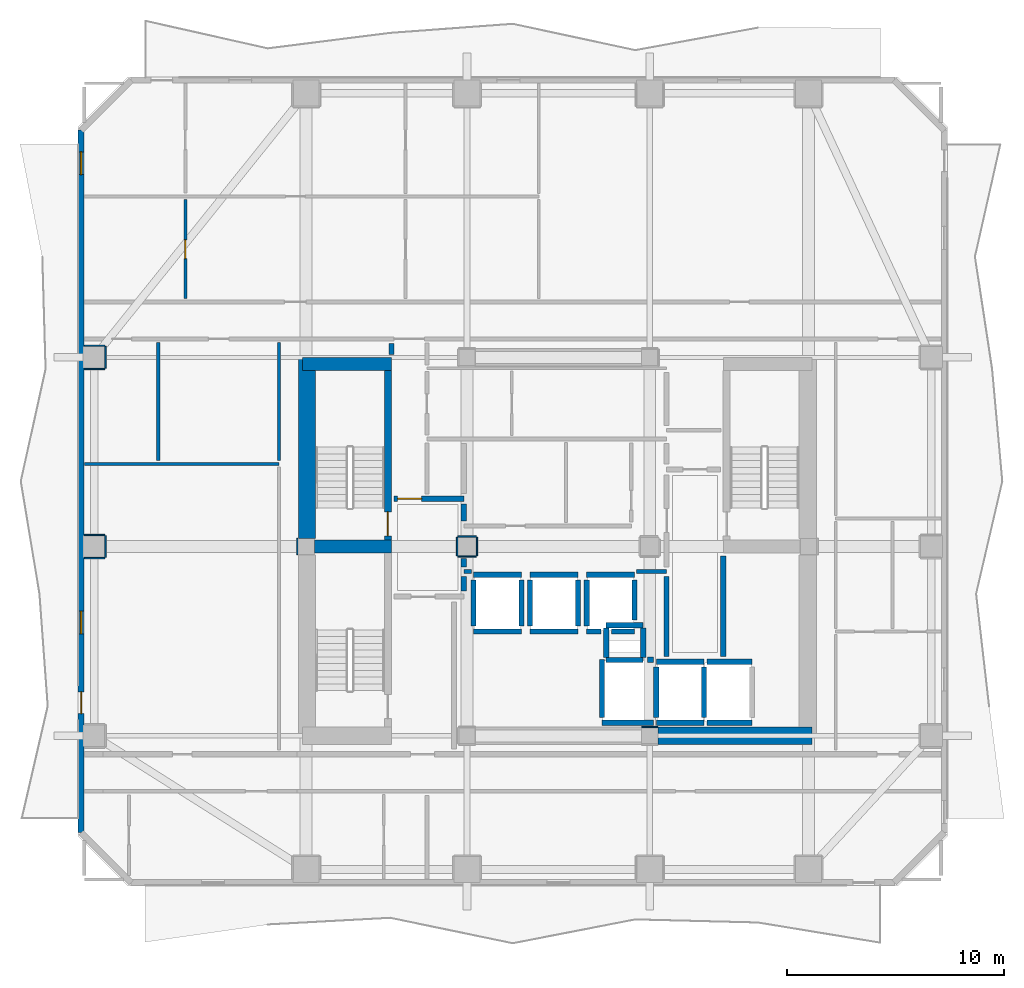
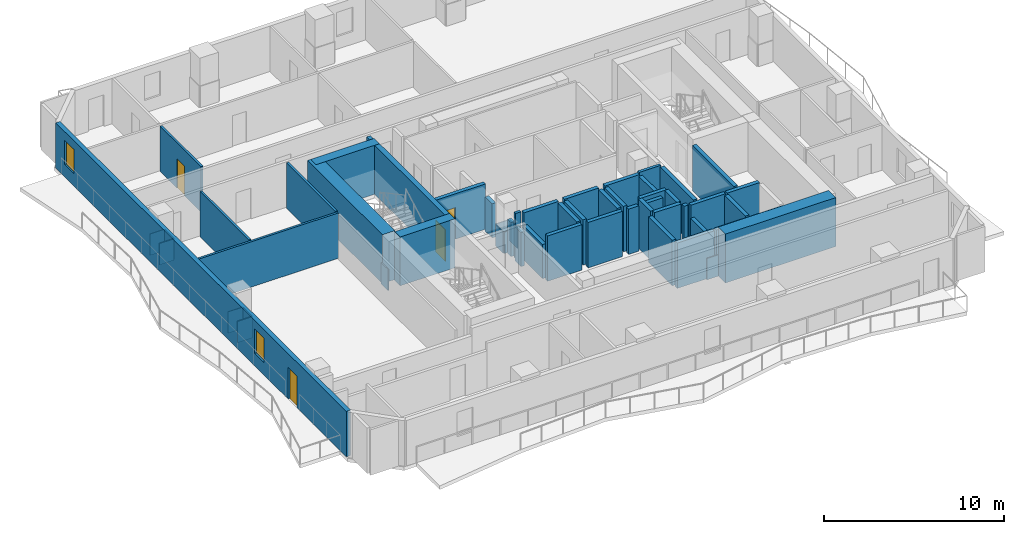
# One storey, part 3 of 10: 57 walls, 4 doors, 2 windows, 6 openings.
"""IFC4 building model written with IfcOpenShell, lengths in metres."""

import ifcopenshell
import ifcopenshell.guid

model = None  # the IFC model being written
_history = None  # IfcOwnerHistory: only IFC2X3 demands one
_inside = {}  # id of a spatial element -> (the spatial element, [elements in it])
_under = {}  # id of a project, library or spatial element -> (it, [spatial elements below it])
_declared = {}  # id of a project -> (the project, [libraries it declares])
_typed = {}  # id of a type object -> (the type object, [elements of that type])
_made_of = {}  # id of a material, layer set ... -> (it, [elements and type objects made of it])


def new_model(schema):
    """Start an empty IFC model of exactly this schema.

    Asked for "IFC4X3", IfcOpenShell would pick the latest addendum, in which some entities
    have other attributes; the version numbers below select the first issue.
    IFC2X3 requires an IfcOwnerHistory on every rooted entity: one is made here for all.
    """
    global model, _history
    if schema == "IFC4X3":
        model = ifcopenshell.file(schema_version=(4, 3, 0, 0))
    else:
        model = ifcopenshell.file(schema=schema)
    _inside.clear()
    _under.clear()
    _declared.clear()
    _typed.clear()
    _made_of.clear()
    _history = None
    if model.schema == "IFC2X3":
        org = make("IfcOrganization", Name="unknown")
        user = make(
            "IfcPersonAndOrganization",
            ThePerson=make("IfcPerson", FamilyName="unknown"),
            TheOrganization=org,
        )
        app = make(
            "IfcApplication",
            ApplicationDeveloper=org,
            Version="unknown",
            ApplicationFullName="unknown",
            ApplicationIdentifier="unknown",
        )
        _history = make(
            "IfcOwnerHistory",
            OwningUser=user,
            OwningApplication=app,
            ChangeAction="ADDED",
            CreationDate=0,
        )
    return model


def make(cls, **values):
    """One entity of the class cls with the attributes given. An attribute that is None is left unset."""
    return model.create_entity(
        cls, **{name: value for name, value in values.items() if value is not None}
    )


def rooted(cls, **values):
    """An entity with a GlobalId (a new one), such as an element, a storey or a relation."""
    return make(cls, GlobalId=ifcopenshell.guid.new(), OwnerHistory=_history, **values)


def si_unit(unit_type, name, prefix=None):
    """IfcSIUnit, for example si_unit("LENGTHUNIT", "METRE", prefix="MILLI")."""
    return make("IfcSIUnit", UnitType=unit_type, Prefix=prefix, Name=name)


def assignment(units):
    """IfcUnitAssignment: the units of a project."""
    return None if units is None else make("IfcUnitAssignment", Units=units)


def point(xyz):
    """IfcCartesianPoint."""
    return None if xyz is None else make("IfcCartesianPoint", Coordinates=xyz)


def direction(xyz):
    """IfcDirection."""
    return None if xyz is None else make("IfcDirection", DirectionRatios=xyz)


def frame(location, z_axis=None, x_axis=None):
    """IfcAxis2Placement3D, a coordinate frame: its origin and axes. An axis left out is left unset."""
    return make(
        "IfcAxis2Placement3D",
        Location=point(location),
        Axis=direction(z_axis),
        RefDirection=direction(x_axis),
    )


def frame_2d(location, x_axis=None):
    """IfcAxis2Placement2D, a coordinate frame in the plane: its origin and x axis."""
    return make(
        "IfcAxis2Placement2D", Location=point(location), RefDirection=direction(x_axis)
    )


def origin():
    """The frame at (0, 0, 0) with its axes left unset."""
    return frame((0.0, 0.0, 0.0))


def place(relative_to, where):
    """IfcLocalPlacement: puts the frame where relative to a parent placement (None: the world)."""
    return make(
        "IfcLocalPlacement", PlacementRelTo=relative_to, RelativePlacement=where
    )


def context(
    kind, dimensions, precision=None, world=None, true_north=None, identifier=None
):
    """IfcGeometricRepresentationContext, for example the 3D "Model" context."""
    return make(
        "IfcGeometricRepresentationContext",
        ContextIdentifier=identifier,
        ContextType=kind,
        CoordinateSpaceDimension=dimensions,
        Precision=precision,
        WorldCoordinateSystem=world,
        TrueNorth=true_north,
    )


def subcontext(parent, identifier, kind, view, scale=None):
    """IfcGeometricRepresentationSubContext, for example "Body" below "Model"."""
    return make(
        "IfcGeometricRepresentationSubContext",
        ContextIdentifier=identifier,
        ContextType=kind,
        ParentContext=parent,
        TargetScale=scale,
        TargetView=view,
    )


def project(units=None, contexts=None):
    """IfcProject with its units and contexts."""
    return rooted(
        "IfcProject",
        Name="project",
        RepresentationContexts=contexts,
        UnitsInContext=assignment(units),
    )


def spatial(cls, under=None, at=None, **own):
    """A site, building, storey or space (cls), placed at a placement, below another one or the project."""
    s = rooted(cls, ObjectPlacement=at, **own)
    if under is not None:
        _under.setdefault(under.id(), (under, []))[1].append(s)
    return s


def profile(cls, at=None, kind="AREA", **sizes):
    """A parametric profile (cls). Its sizes go by their IFC names, for example OverallWidth=200.0."""
    return make(cls, ProfileType=kind, Position=at, **sizes)


def rectangle(**sizes):
    """IfcRectangleProfileDef."""
    return profile("IfcRectangleProfileDef", **sizes)


def extrude(swept, where, along, depth):
    """IfcExtrudedAreaSolid: the profile swept, set in the frame where, extruded along a direction by depth."""
    return make(
        "IfcExtrudedAreaSolid",
        SweptArea=swept,
        Position=where,
        ExtrudedDirection=direction(along),
        Depth=depth,
    )


def shape(context_of_items, identifier, shape_type, items):
    """IfcShapeRepresentation: the items that make up one representation, for example the "Body"."""
    return make(
        "IfcShapeRepresentation",
        ContextOfItems=context_of_items,
        RepresentationIdentifier=identifier,
        RepresentationType=shape_type,
        Items=items,
    )


def material(Name=None, Category=None):
    """IfcMaterial."""
    return make("IfcMaterial", Name=Name, Category=Category)


def layer(
    of_material, thickness, ventilated=None, Name=None, Category=None, Priority=None
):
    """IfcMaterialLayer: one layer of a wall or slab, of a material (None: an air gap)."""
    return make(
        "IfcMaterialLayer",
        Material=of_material,
        LayerThickness=thickness,
        IsVentilated=ventilated,
        Name=Name,
        Category=Category,
        Priority=Priority,
    )


def layer_set(layers, Name=None):
    """IfcMaterialLayerSet."""
    return make("IfcMaterialLayerSet", MaterialLayers=layers, LayerSetName=Name)


def made_of(thing, what):
    """Note that an element or type object is made of a material, layer set ...; save() writes the relation."""
    if what is not None:
        _made_of.setdefault(what.id(), (what, []))[1].append(thing)
    return thing


def type_object(cls, material=None, **own):
    """A type object (cls), such as IfcWallType, which elements share."""
    return made_of(rooted(cls, **own), material)


def element(
    cls,
    number,
    at=None,
    inside=None,
    cuts=None,
    type_object=None,
    material=None,
    context=None,
    identifier="Body",
    shape_type=None,
    held_by="IfcProductDefinitionShape",
    body=None,
    shapes=None,
    **own,
):
    """One element of the class cls, such as IfcWall. Its Tag is "e" and its number.

    at: its placement. inside: the storey or other place that contains it. cuts: it is an
    opening in that element (IfcRelVoidsElement). A single representation is given by context,
    identifier, shape_type and body (its items); several are given by shapes. held_by: the class
    of the entity that holds the representations. save() writes the other relations.
    """
    e = rooted(cls, Tag="e%d" % number, ObjectPlacement=at, **own)
    if body is not None:
        shapes = [shape(context, identifier, shape_type, body)]
    if shapes is not None:
        e.Representation = make(held_by, Representations=shapes)
    if inside is not None:
        _inside.setdefault(inside.id(), (inside, []))[1].append(e)
    if cuts is not None:
        rooted(
            "IfcRelVoidsElement", RelatingBuildingElement=cuts, RelatedOpeningElement=e
        )
    if type_object is not None:
        _typed.setdefault(type_object.id(), (type_object, []))[1].append(e)
    return made_of(e, material)


def fill(opening, filler):
    """IfcRelFillsElement: the door or window that sits in an opening."""
    return rooted(
        "IfcRelFillsElement",
        RelatingOpeningElement=opening,
        RelatedBuildingElement=filler,
    )


def aggregate(whole, parts):
    """IfcRelAggregates: a whole, such as a stair, and the parts it consists of."""
    return rooted("IfcRelAggregates", RelatingObject=whole, RelatedObjects=parts)


def save(model, path):
    """Write the relations noted so far, then the file.

    IfcRelAggregates (storeys below a building ...), IfcRelContainedInSpatialStructure (elements
    in a storey), IfcRelDefinesByType, IfcRelAssociatesMaterial and IfcRelDeclares: one each for
    every whole, place, type object, material and project.
    """
    for whole, parts in _under.values():
        aggregate(whole, parts)
    for where, things in _inside.values():
        rooted(
            "IfcRelContainedInSpatialStructure",
            RelatedElements=things,
            RelatingStructure=where,
        )
    for kind, things in _typed.values():
        rooted("IfcRelDefinesByType", RelatedObjects=things, RelatingType=kind)
    for what, things in _made_of.values():
        rooted("IfcRelAssociatesMaterial", RelatedObjects=things, RelatingMaterial=what)
    for by, libraries in _declared.values():
        rooted("IfcRelDeclares", RelatingContext=by, RelatedDefinitions=libraries)
    model.write(path)


model = new_model("IFC4")

# Units and contexts
model_context = context("Model", 3, precision=1e-05, world=origin(), true_north=direction((0.0, 1.0)))
body_context = subcontext(model_context, "Body", "Model", "MODEL_VIEW")
ifc_project = project(units=[si_unit("LENGTHUNIT", "METRE"), si_unit("AREAUNIT", "SQUARE_METRE"), si_unit("VOLUMEUNIT", "CUBIC_METRE"), si_unit("PLANEANGLEUNIT", "RADIAN"), si_unit("MASSUNIT", "GRAM", prefix="KILO")], contexts=[model_context])

# Site, building, storey
site_placement = place(None, origin())
site = spatial("IfcSite", under=ifc_project, at=site_placement, CompositionType="ELEMENT")
building_placement = place(site_placement, origin())
building = spatial("IfcBuilding", under=site, at=building_placement, Name="Solanera Arch Residences", CompositionType="ELEMENT")
storey_placement = place(building_placement, frame((0.0, 0.0, 183.52001953125)))
storey = spatial("IfcBuildingStorey", under=building, at=storey_placement, Name="L53", CompositionType="ELEMENT", Elevation=183.52001953125)

# Walls
ifc_material_1 = material(Name="Fire-Rated Gypsum Stud Partition", Category="gypsum")
ifc_layer_1 = layer(ifc_material_1, 0.06005859375)
ifc_layer_set_1 = layer_set([ifc_layer_1], Name="Fire-Rated Gypsum Stud Partition")
wall_type_1 = type_object("IfcWallType", Name="Column Acoustic Furring Wall 60", PredefinedType="PARTITIONING", material=ifc_layer_set_1)
wall_1_placement = place(storey_placement, frame((28.8330078125, 22.406982421875, 0.0), z_axis=(0.0, 0.0, 1.0), x_axis=(1.0, 0.0, 0.0)))
element("IfcWall", 1, at=wall_1_placement, inside=storey, type_object=wall_type_1, Name="L53 Column Furring 2N", PredefinedType="PARTITIONING", context=body_context, shape_type="SweptSolid", body=[
    extrude(rectangle(XDim=0.73388671875, YDim=0.06005859375, at=frame_2d((0.366943359375, 0.0))), origin(), (0.0, 0.0, 1.0), 1.449951171875),
])
wall_2_placement = place(storey_placement, frame((12.992919921875, 30.324951171875, 0.0), z_axis=(0.0, 0.0, 1.0), x_axis=(0.0, 1.0, 0.0)))
element("IfcWall", 2, at=wall_2_placement, inside=storey, type_object=wall_type_1, Name="L53 Column Furring 5W", PredefinedType="PARTITIONING", context=body_context, shape_type="SweptSolid", body=[
    extrude(rectangle(XDim=0.75, YDim=0.06005859375, at=frame_2d((0.375, 0.0))), origin(), (0.0, 0.0, 1.0), 1.449951171875),
])
for number, where, z_axis, x_axis, name in (
    (3, (20.375, 30.242919921875, 0.0), (0.0, 0.0, 1.0), (1.0, 0.0, 0.0), "L53 Column Furring 7S"),
    (4, (20.375, 31.156982421875, 0.0), (0.0, 0.0, 1.0), (1.0, 0.0, 0.0), "L53 Column Furring 7N"),
    (5, (20.343017578125, 30.27490234375, 0.0), (0.0, 0.0, 1.0), (0.0, 1.0, 0.0), "L53 Column Furring 7W"),
    (6, (21.257080078125, 30.27490234375, 0.0), (0.0, 0.0, 1.0), (0.0, 1.0, 0.0), "L53 Column Furring 7E"),
):
    element("IfcWall", number, at=place(storey_placement, frame(where, z_axis=z_axis, x_axis=x_axis)), inside=storey, type_object=wall_type_1, Name=name, PredefinedType="PARTITIONING", context=body_context, shape_type="SweptSolid", body=[
        extrude(rectangle(XDim=0.85009765625, YDim=0.06005859375, at=frame_2d((0.425048828125, 0.0))), origin(), (0.0, 0.0, 1.0), 1.449951171875),
    ])
for number, where, z_axis, x_axis, name in (
    (7, (3.2099609375, 30.16796875, 0.0), (0.0, 0.0, 1.0), (1.0, 0.0, 0.0), "L53 Column Furring 19S"),
    (8, (3.2099609375, 31.23193359375, 0.0), (0.0, 0.0, 1.0), (1.0, 0.0, 0.0), "L53 Column Furring 19N"),
):
    element("IfcWall", number, at=place(storey_placement, frame(where, z_axis=z_axis, x_axis=x_axis)), inside=storey, type_object=wall_type_1, Name=name, PredefinedType="PARTITIONING", context=body_context, shape_type="SweptSolid", body=[
        extrude(rectangle(XDim=0.93994140625, YDim=0.06005859375, at=frame_2d((0.469970703125, 0.0))), origin(), (0.0, 0.0, 1.0), 1.449951171875),
    ])
wall_3_placement = place(storey_placement, frame((4.181884765625, 30.199951171875, 0.0), z_axis=(0.0, 0.0, 1.0), x_axis=(0.0, 1.0, 0.0)))
element("IfcWall", 9, at=wall_3_placement, inside=storey, type_object=wall_type_1, Name="L53 Column Furring 19E", PredefinedType="PARTITIONING", context=body_context, shape_type="SweptSolid", body=[
    extrude(rectangle(XDim=1.0, YDim=0.06005859375, at=frame_2d((0.5, 0.0))), origin(), (0.0, 0.0, 1.0), 1.449951171875),
])
for number, where, z_axis, x_axis, name in (
    (10, (3.2099609375, 38.867919921875, 0.0), (0.0, 0.0, 1.0), (1.0, 0.0, 0.0), "L53 Column Furring 21S"),
    (11, (3.2099609375, 39.931884765625, 0.0), (0.0, 0.0, 1.0), (1.0, 0.0, 0.0), "L53 Column Furring 21N"),
):
    element("IfcWall", number, at=place(storey_placement, frame(where, z_axis=z_axis, x_axis=x_axis)), inside=storey, type_object=wall_type_1, Name=name, PredefinedType="PARTITIONING", context=body_context, shape_type="SweptSolid", body=[
        extrude(rectangle(XDim=0.93994140625, YDim=0.06005859375, at=frame_2d((0.469970703125, 0.0))), origin(), (0.0, 0.0, 1.0), 1.449951171875),
    ])
wall_4_placement = place(storey_placement, frame((4.181884765625, 38.89990234375, 0.0), z_axis=(0.0, 0.0, 1.0), x_axis=(0.0, 1.0, 0.0)))
element("IfcWall", 12, at=wall_4_placement, inside=storey, type_object=wall_type_1, Name="L53 Column Furring 21E", PredefinedType="PARTITIONING", context=body_context, shape_type="SweptSolid", body=[
    extrude(rectangle(XDim=1.0, YDim=0.06005859375, at=frame_2d((0.5, 0.0))), origin(), (0.0, 0.0, 1.0), 1.449951171875),
])

# Wall, opening, door
ifc_material_2 = material(Name="Concrete C40/50 (f'c = 45 MPa)", Category="concrete")
ifc_layer_2 = layer(ifc_material_2, 0.320068359375)
ifc_layer_set_2 = layer_set([ifc_layer_2], Name="Concrete C40/50 (f'c = 45 MPa)")
wall_type_2 = type_object("IfcWallType", Name="Core Shear Wall CW-320", PredefinedType="SHEAR", material=ifc_layer_set_2)
wall_5_placement = place(storey_placement, frame((17.159912109375, 31.0, 0.0), z_axis=(0.0, 0.0, 1.0), x_axis=(0.0, 1.0, 0.0)))
wall_5 = element("IfcWall", 13, at=wall_5_placement, inside=storey, type_object=wall_type_2, Name="L53 Stair ST-T1 East Shear Wall", PredefinedType="SHEAR", context=body_context, shape_type="SweptSolid", body=[
    extrude(rectangle(XDim=7.800048828125, YDim=0.320068359375, at=frame_2d((3.89990234375, 0.0))), origin(), (0.0, 0.0, 1.0), 3.320068359375),
])
opening_1_placement = place(wall_5_placement, frame((0.18994140625, 0.0, 0.0)))
opening_1 = element("IfcOpeningElement", 14, at=opening_1_placement, cuts=wall_5, Name="Opening DF-01", PredefinedType="OPENING", context=body_context, shape_type="SweptSolid", body=[
    extrude(rectangle(XDim=1.10009765625, YDim=2.14990234375, at=frame_2d((0.550048828125, 1.074951171875))), frame((0.0, 0.169921875, 0.0), z_axis=(0.0, -1.0, 0.0), x_axis=(1.0, 0.0, 0.0)), (0.0, 0.0, 1.0), 0.3401),
])
ifc_material_3 = material(Name="Fire-Rated Architectural Hardwood", Category="wood")
door_type_1 = type_object("IfcDoorType", Name="Stair Exit Fire Door DF-01", OperationType="NOTDEFINED", PredefinedType="DOOR", material=ifc_material_3)
door_1_placement = place(opening_1_placement, origin())
door_1 = element("IfcDoor", 15, at=door_1_placement, inside=storey, type_object=door_type_1, Name="DR-L53-STAIR-ST-T1", OperationType="SINGLE_SWING_RIGHT", OverallHeight=2.14990234375, OverallWidth=1.10009765625, PredefinedType="DOOR", context=body_context, shape_type="SweptSolid", body=[
    extrude(rectangle(XDim=1.10009765625, YDim=2.14990234375, at=frame_2d((0.550048828125, 1.074951171875))), frame((0.0, 0.02490234375, 0.0), z_axis=(0.0, -1.0, 0.0), x_axis=(1.0, 0.0, 0.0)), (0.0, 0.0, 1.0), 0.050048828125),
])
fill(opening_1, door_1)

# Walls
ifc_material_4 = material(Name="Concrete C40/50 (f'c = 45 MPa)", Category="concrete")
ifc_layer_3 = layer(ifc_material_4, 0.60009765625)
ifc_layer_set_3 = layer_set([ifc_layer_3], Name="Concrete C40/50 (f'c = 45 MPa)")
wall_type_3 = type_object("IfcWallType", Name="Core Shear Wall CW-600", PredefinedType="SHEAR", material=ifc_layer_set_3)
wall_6_placement = place(storey_placement, frame((13.239990234375, 39.10009765625, 0.0), z_axis=(0.0, 0.0, 1.0), x_axis=(1.0, 0.0, 0.0)))
element("IfcWall", 16, at=wall_6_placement, inside=storey, type_object=wall_type_3, Name="L53 North-West Core Shear Wall", PredefinedType="SHEAR", context=body_context, shape_type="SweptSolid", body=[
    extrude(rectangle(XDim=4.080078125, YDim=0.60009765625, at=frame_2d((2.0400390625, 0.0))), origin(), (0.0, 0.0, 1.0), 3.320068359375),
])
wall_7_placement = place(storey_placement, frame((13.780029296875, 30.699951171875, 0.0), z_axis=(0.0, 0.0, 1.0), x_axis=(1.0, 0.0, 0.0)))
element("IfcWall", 17, at=wall_7_placement, inside=storey, type_object=wall_type_3, Name="L53 West Stair Divider Shear Wall", PredefinedType="SHEAR", context=body_context, shape_type="SweptSolid", body=[
    extrude(rectangle(XDim=3.5400390625, YDim=0.60009765625, at=frame_2d((1.77001953125, 0.0))), origin(), (0.0, 0.0, 1.0), 3.320068359375),
])
ifc_material_5 = material(Name="Concrete C40/50 (f'c = 45 MPa)", Category="concrete")
ifc_layer_4 = layer(ifc_material_5, 0.800048828125)
ifc_layer_set_4 = layer_set([ifc_layer_4], Name="Concrete C40/50 (f'c = 45 MPa)")
wall_type_4 = type_object("IfcWallType", Name="Core Shear Wall CW-800", PredefinedType="SHEAR", material=ifc_layer_set_4)
wall_8_placement = place(storey_placement, frame((13.43994140625, 31.080078125, 0.0), z_axis=(0.0, 0.0, 1.0), x_axis=(0.0, 1.0, 0.0)))
element("IfcWall", 18, at=wall_8_placement, inside=storey, type_object=wall_type_4, Name="L53 West Core North Shear Wall", PredefinedType="SHEAR", context=body_context, shape_type="SweptSolid", body=[
    extrude(rectangle(XDim=8.31982421875, YDim=0.800048828125, at=frame_2d((4.159912109375, 0.0))), origin(), (0.0, 0.0, 1.0), 3.320068359375),
])
wall_9_placement = place(storey_placement, frame((29.580078125, 22.0, 0.0), z_axis=(0.0, 0.0, 1.0), x_axis=(1.0, 0.0, 0.0)))
element("IfcWall", 19, at=wall_9_placement, inside=storey, type_object=wall_type_4, Name="L53 South-East Core Shear Wall", PredefinedType="SHEAR", context=body_context, shape_type="SweptSolid", body=[
    extrude(rectangle(XDim=7.079833984375, YDim=0.800048828125, at=frame_2d((3.5400390625, 0.0))), origin(), (0.0, 0.0, 1.0), 3.320068359375),
])
ifc_material_6 = material(Name="Autoclaved Aerated Concrete Blockwork", Category="masonry")
ifc_layer_5 = layer(ifc_material_6, 0.179931640625)
ifc_layer_set_5 = layer_set([ifc_layer_5], Name="Autoclaved Aerated Concrete Blockwork")
wall_type_5 = type_object("IfcWallType", Name="Corridor Fire Partition 180", PredefinedType="PARTITIONING", material=ifc_layer_set_5)
wall_10_placement = place(storey_placement, frame((20.64990234375, 29.550048828125, 0.0), z_axis=(0.0, 0.0, 1.0), x_axis=(1.0, 0.0, 0.0)))
element("IfcWall", 20, at=wall_10_placement, inside=storey, type_object=wall_type_5, Name="L53 Interior Partition H7 1", PredefinedType="PARTITIONING", context=body_context, shape_type="SweptSolid", body=[
    extrude(rectangle(XDim=0.357177734375, YDim=0.179931640625, at=frame_2d((0.1787109375, 0.0))), origin(), (0.0, 0.0, 1.0), 3.080078125),
])
wall_11_placement = place(storey_placement, frame((28.593017578125, 29.550048828125, 0.0), z_axis=(0.0, 0.0, 1.0), x_axis=(1.0, 0.0, 0.0)))
element("IfcWall", 21, at=wall_11_placement, inside=storey, type_object=wall_type_5, Name="L53 Interior Partition H7 2", PredefinedType="PARTITIONING", context=body_context, shape_type="SweptSolid", body=[
    extrude(rectangle(XDim=1.382080078125, YDim=0.179931640625, at=frame_2d((0.69091796875, 0.0))), origin(), (0.0, 0.0, 1.0), 3.080078125),
])

# Wall, openings, door, windows
ifc_material_7 = material(Name="Precast Concrete C35/45", Category="concrete")
ifc_layer_6 = layer(ifc_material_7, 0.280029296875)
ifc_layer_set_6 = layer_set([ifc_layer_6], Name="Precast Concrete C35/45")
wall_type_6 = type_object("IfcWallType", Name="Exterior Wall Precast Masonry-Frame 280", PredefinedType="STANDARD", material=ifc_layer_set_6)
wall_12_placement = place(storey_placement, frame((3.054931640625, 17.554931640625, 0.0), z_axis=(0.0, 0.0, 1.0), x_axis=(0.0, 1.0, 0.0)))
wall_12 = element("IfcWall", 22, at=wall_12_placement, inside=storey, type_object=wall_type_6, Name="L53 Tower Exterior Precast Masonry-Frame Wall W", PredefinedType="STANDARD", context=body_context, shape_type="SweptSolid", body=[
    extrude(rectangle(XDim=32.2900390625, YDim=0.280029296875, at=frame_2d((16.14501953125, 0.0))), origin(), (0.0, 0.0, 1.0), 3.080078125),
])
opening_2_placement = place(wall_12_placement, frame((5.467041015625, 0.0, 0.0)))
opening_2 = element("IfcOpeningElement", 23, at=opening_2_placement, cuts=wall_12, Name="Opening DB-01", PredefinedType="OPENING", context=body_context, shape_type="SweptSolid", body=[
    extrude(rectangle(XDim=1.0, YDim=2.14990234375, at=frame_2d((0.5, 1.074951171875))), frame((0.0, 0.14990234375, 0.0), z_axis=(0.0, -1.0, 0.0), x_axis=(1.0, 0.0, 0.0)), (0.0, 0.0, 1.0), 0.3),
])
opening_3_placement = place(wall_12_placement, frame((30.2470703125, 0.0, 0.85009765625)))
opening_3 = element("IfcOpeningElement", 24, at=opening_3_placement, cuts=wall_12, Name="Opening W-07", PredefinedType="OPENING", context=body_context, shape_type="SweptSolid", body=[
    extrude(rectangle(XDim=1.050048828125, YDim=1.64990234375, at=frame_2d((0.52490234375, 0.824951171875))), frame((0.0, 0.14990234375, 0.0), z_axis=(0.0, -1.0, 0.0), x_axis=(1.0, 0.0, 0.0)), (0.0, 0.0, 1.0), 0.3),
])
opening_4_placement = place(wall_12_placement, frame((9.131103515625, 0.0, 0.85009765625)))
opening_4 = element("IfcOpeningElement", 25, at=opening_4_placement, cuts=wall_12, Name="Opening W-07", PredefinedType="OPENING", context=body_context, shape_type="SweptSolid", body=[
    extrude(rectangle(XDim=1.050048828125, YDim=1.64990234375, at=frame_2d((0.52490234375, 0.824951171875))), frame((0.0, 0.14990234375, 0.0), z_axis=(0.0, -1.0, 0.0), x_axis=(1.0, 0.0, 0.0)), (0.0, 0.0, 1.0), 0.3),
])
ifc_material_8 = material(Name="Anodised Aluminium Alloy 6063-T6", Category="aluminium")
door_type_2 = type_object("IfcDoorType", Name="Glazed Balcony Swing Door DB-01", OperationType="NOTDEFINED", PredefinedType="DOOR", material=ifc_material_8)
door_2_placement = place(opening_2_placement, origin())
door_2 = element("IfcDoor", 26, at=door_2_placement, inside=storey, type_object=door_type_2, Name="DR-L53-OUT-04", OperationType="SINGLE_SWING_RIGHT", OverallHeight=2.14990234375, OverallWidth=1.0, PredefinedType="DOOR", context=body_context, shape_type="SweptSolid", body=[
    extrude(rectangle(XDim=1.0, YDim=2.14990234375, at=frame_2d((0.5, 1.074951171875))), frame((0.0, 0.02490234375, 0.0), z_axis=(0.0, -1.0, 0.0), x_axis=(1.0, 0.0, 0.0)), (0.0, 0.0, 1.0), 0.050048828125),
])
fill(opening_2, door_2)
ifc_material_9 = material(Name="Double Glazed Low-E Laminated Glass", Category="glass")
window_type = type_object("IfcWindowType", Name="Punched Window W-07", PartitioningType="SINGLE_PANEL", PredefinedType="WINDOW", material=ifc_material_9)
window_1_placement = place(opening_3_placement, origin())
window_1 = element("IfcWindow", 27, at=window_1_placement, inside=storey, type_object=window_type, Name="L53 5302-BR1 Punched Window", OverallHeight=1.64990234375, OverallWidth=1.050048828125, PartitioningType="SINGLE_PANEL", PredefinedType="WINDOW", context=body_context, shape_type="SweptSolid", body=[
    extrude(rectangle(XDim=1.050048828125, YDim=1.64990234375, at=frame_2d((0.52490234375, 0.824951171875))), frame((0.0, 0.030029296875, 0.0), z_axis=(0.0, -1.0, 0.0), x_axis=(1.0, 0.0, 0.0)), (0.0, 0.0, 1.0), 0.06005859375),
])
fill(opening_3, window_1)
window_2_placement = place(opening_4_placement, origin())
window_2 = element("IfcWindow", 28, at=window_2_placement, inside=storey, type_object=window_type, Name="L53 AMN-FIT Punched Window", OverallHeight=1.64990234375, OverallWidth=1.050048828125, PartitioningType="SINGLE_PANEL", PredefinedType="WINDOW", context=body_context, shape_type="SweptSolid", body=[
    extrude(rectangle(XDim=1.050048828125, YDim=1.64990234375, at=frame_2d((0.52490234375, 0.824951171875))), frame((0.0, 0.030029296875, 0.0), z_axis=(0.0, -1.0, 0.0), x_axis=(1.0, 0.0, 0.0)), (0.0, 0.0, 1.0), 0.06005859375),
])
fill(opening_4, window_2)

# Walls
ifc_material_10 = material(Name="Concrete C40/50 (f'c = 45 MPa)", Category="concrete")
ifc_layer_7 = layer(ifc_material_10, 0.239990234375)
ifc_layer_set_7 = layer_set([ifc_layer_7], Name="Concrete C40/50 (f'c = 45 MPa)")
wall_type_7 = type_object("IfcWallType", Name="Ramp Bearing Shear Wall RW-240", PredefinedType="SHEAR", material=ifc_layer_set_7)
for number, where, z_axis, x_axis, name in (
    (29, (27.199951171875, 25.47998046875, 0.0), (0.0, 0.0, 1.0), (1.0, 0.0, 0.0), "L53 Core MEP Riser South Shaft Wall"),
    (30, (27.199951171875, 27.080078125, 0.0), (0.0, 0.0, 1.0), (1.0, 0.0, 0.0), "L53 Core MEP Riser North Shaft Wall"),
):
    element("IfcWall", number, at=place(storey_placement, frame(where, z_axis=z_axis, x_axis=x_axis)), inside=storey, type_object=wall_type_7, Name=name, PredefinedType="SHEAR", context=body_context, shape_type="SweptSolid", body=[
        extrude(rectangle(XDim=1.699951171875, YDim=0.239990234375, at=frame_2d((0.85009765625, 0.0))), origin(), (0.0, 0.0, 1.0), 3.320068359375),
    ])
for number, where, z_axis, x_axis, name in (
    (31, (27.199951171875, 25.60009765625, 0.0), (0.0, 0.0, 1.0), (0.0, 1.0, 0.0), "L53 Core MEP Riser West Shaft Wall"),
    (32, (28.89990234375, 25.60009765625, 0.0), (0.0, 0.0, 1.0), (0.0, 1.0, 0.0), "L53 Core MEP Riser East Shaft Wall"),
):
    element("IfcWall", number, at=place(storey_placement, frame(where, z_axis=z_axis, x_axis=x_axis)), inside=storey, type_object=wall_type_7, Name=name, PredefinedType="SHEAR", context=body_context, shape_type="SweptSolid", body=[
        extrude(rectangle(XDim=1.35986328125, YDim=0.239990234375, at=frame_2d((0.679931640625, 0.0))), origin(), (0.0, 0.0, 1.0), 3.320068359375),
    ])
ifc_material_11 = material(Name="Autoclaved Aerated Concrete Blockwork", Category="masonry")
ifc_layer_8 = layer(ifc_material_11, 0.239990234375)
ifc_layer_set_8 = layer_set([ifc_layer_8], Name="Autoclaved Aerated Concrete Blockwork")
wall_type_8 = type_object("IfcWallType", Name="Shaft Wall Fire-Rated 240", PredefinedType="PARTITIONING", material=ifc_layer_set_8)
for number, where, z_axis, x_axis, name in (
    (33, (21.10009765625, 26.800048828125, 0.0), (0.0, 0.0, 1.0), (1.0, 0.0, 0.0), "L53 Lift PL-H1 Hoistway Wall S"),
    (34, (21.10009765625, 29.39990234375, 0.0), (0.0, 0.0, 1.0), (1.0, 0.0, 0.0), "L53 Lift PL-H1 Hoistway Wall N"),
):
    element("IfcWall", number, at=place(storey_placement, frame(where, z_axis=z_axis, x_axis=x_axis)), inside=storey, type_object=wall_type_8, Name=name, PredefinedType="PARTITIONING", context=body_context, shape_type="SweptSolid", body=[
        extrude(rectangle(XDim=2.199951171875, YDim=0.239990234375, at=frame_2d((1.10009765625, 0.0))), origin(), (0.0, 0.0, 1.0), 3.080078125),
    ])
wall_13_placement = place(storey_placement, frame((21.10009765625, 27.048095703125, 0.0), z_axis=(0.0, 0.0, 1.0), x_axis=(0.0, 1.0, 0.0)))
element("IfcWall", 35, at=wall_13_placement, inside=storey, type_object=wall_type_8, Name="L53 Lift PL-H1 Hoistway Wall W", PredefinedType="PARTITIONING", context=body_context, shape_type="SweptSolid", body=[
    extrude(rectangle(XDim=2.10400390625, YDim=0.239990234375, at=frame_2d((1.052001953125, 0.0))), origin(), (0.0, 0.0, 1.0), 2.31494140625),
])
wall_14_placement = place(storey_placement, frame((23.300048828125, 27.048095703125, 0.0), z_axis=(0.0, 0.0, 1.0), x_axis=(0.0, 1.0, 0.0)))
element("IfcWall", 36, at=wall_14_placement, inside=storey, type_object=wall_type_8, Name="L53 Lift PL-H1 Hoistway Wall E", PredefinedType="PARTITIONING", context=body_context, shape_type="SweptSolid", body=[
    extrude(rectangle(XDim=2.10400390625, YDim=0.239990234375, at=frame_2d((1.052001953125, 0.0))), origin(), (0.0, 0.0, 1.0), 3.080078125),
])
for number, where, z_axis, x_axis, name in (
    (37, (23.699951171875, 26.800048828125, 0.0), (0.0, 0.0, 1.0), (1.0, 0.0, 0.0), "L53 Lift PL-H2 Hoistway Wall S"),
    (38, (23.699951171875, 29.39990234375, 0.0), (0.0, 0.0, 1.0), (1.0, 0.0, 0.0), "L53 Lift PL-H2 Hoistway Wall N"),
):
    element("IfcWall", number, at=place(storey_placement, frame(where, z_axis=z_axis, x_axis=x_axis)), inside=storey, type_object=wall_type_8, Name=name, PredefinedType="PARTITIONING", context=body_context, shape_type="SweptSolid", body=[
        extrude(rectangle(XDim=2.199951171875, YDim=0.239990234375, at=frame_2d((1.10009765625, 0.0))), origin(), (0.0, 0.0, 1.0), 3.080078125),
    ])
for number, where, z_axis, x_axis, name in (
    (39, (23.699951171875, 27.048095703125, 0.0), (0.0, 0.0, 1.0), (0.0, 1.0, 0.0), "L53 Lift PL-H2 Hoistway Wall W"),
    (40, (25.89990234375, 27.048095703125, 0.0), (0.0, 0.0, 1.0), (0.0, 1.0, 0.0), "L53 Lift PL-H2 Hoistway Wall E"),
):
    element("IfcWall", number, at=place(storey_placement, frame(where, z_axis=z_axis, x_axis=x_axis)), inside=storey, type_object=wall_type_8, Name=name, PredefinedType="PARTITIONING", context=body_context, shape_type="SweptSolid", body=[
        extrude(rectangle(XDim=2.10400390625, YDim=0.239990234375, at=frame_2d((1.052001953125, 0.0))), origin(), (0.0, 0.0, 1.0), 3.080078125),
    ])
wall_15_placement = place(storey_placement, frame((26.300048828125, 26.800048828125, 0.0), z_axis=(0.0, 0.0, 1.0), x_axis=(1.0, 0.0, 0.0)))
element("IfcWall", 41, at=wall_15_placement, inside=storey, type_object=wall_type_8, Name="L53 Lift PL-H3 Hoistway Wall S 1", PredefinedType="PARTITIONING", context=body_context, shape_type="SweptSolid", body=[
    extrude(rectangle(XDim=0.64990234375, YDim=0.239990234375, at=frame_2d((0.324951171875, 0.0))), origin(), (0.0, 0.0, 1.0), 3.080078125),
])
wall_16_placement = place(storey_placement, frame((27.449951171875, 26.800048828125, 0.0), z_axis=(0.0, 0.0, 1.0), x_axis=(1.0, 0.0, 0.0)))
element("IfcWall", 42, at=wall_16_placement, inside=storey, type_object=wall_type_8, Name="L53 Lift PL-H3 Hoistway Wall S 2", PredefinedType="PARTITIONING", context=body_context, shape_type="SweptSolid", body=[
    extrude(rectangle(XDim=1.050048828125, YDim=0.239990234375, at=frame_2d((0.52490234375, 0.0))), origin(), (0.0, 0.0, 1.0), 3.080078125),
])
wall_17_placement = place(storey_placement, frame((26.300048828125, 29.39990234375, 0.0), z_axis=(0.0, 0.0, 1.0), x_axis=(1.0, 0.0, 0.0)))
element("IfcWall", 43, at=wall_17_placement, inside=storey, type_object=wall_type_8, Name="L53 Lift PL-H3 Hoistway Wall N", PredefinedType="PARTITIONING", context=body_context, shape_type="SweptSolid", body=[
    extrude(rectangle(XDim=2.199951171875, YDim=0.239990234375, at=frame_2d((1.10009765625, 0.0))), origin(), (0.0, 0.0, 1.0), 3.080078125),
])
wall_18_placement = place(storey_placement, frame((26.300048828125, 27.048095703125, 0.0), z_axis=(0.0, 0.0, 1.0), x_axis=(0.0, 1.0, 0.0)))
element("IfcWall", 44, at=wall_18_placement, inside=storey, type_object=wall_type_8, Name="L53 Lift PL-H3 Hoistway Wall W", PredefinedType="PARTITIONING", context=body_context, shape_type="SweptSolid", body=[
    extrude(rectangle(XDim=2.10400390625, YDim=0.239990234375, at=frame_2d((1.052001953125, 0.0))), origin(), (0.0, 0.0, 1.0), 3.080078125),
])
wall_19_placement = place(storey_placement, frame((28.5, 27.330078125, 0.0), z_axis=(0.0, 0.0, 1.0), x_axis=(0.0, 1.0, 0.0)))
element("IfcWall", 45, at=wall_19_placement, inside=storey, type_object=wall_type_8, Name="L53 Lift PL-H3 Hoistway Wall E", PredefinedType="PARTITIONING", context=body_context, shape_type="SweptSolid", body=[
    extrude(rectangle(XDim=1.822021484375, YDim=0.239990234375, at=frame_2d((0.9111328125, 0.0))), origin(), (0.0, 0.0, 1.0), 3.080078125),
])
for number, where, z_axis, x_axis, name in (
    (46, (29.5, 22.60009765625, 0.0), (0.0, 0.0, 1.0), (1.0, 0.0, 0.0), "L53 Lift FFL-1 Hoistway Wall S"),
    (47, (29.5, 25.39990234375, 0.0), (0.0, 0.0, 1.0), (1.0, 0.0, 0.0), "L53 Lift FFL-1 Hoistway Wall N"),
):
    element("IfcWall", number, at=place(storey_placement, frame(where, z_axis=z_axis, x_axis=x_axis)), inside=storey, type_object=wall_type_8, Name=name, PredefinedType="PARTITIONING", context=body_context, shape_type="SweptSolid", body=[
        extrude(rectangle(XDim=2.199951171875, YDim=0.239990234375, at=frame_2d((1.10009765625, 0.0))), origin(), (0.0, 0.0, 1.0), 3.080078125),
    ])
wall_20_placement = place(storey_placement, frame((29.5, 22.847900390625, 0.0), z_axis=(0.0, 0.0, 1.0), x_axis=(0.0, 1.0, 0.0)))
element("IfcWall", 48, at=wall_20_placement, inside=storey, type_object=wall_type_8, Name="L53 Lift FFL-1 Hoistway Wall W", PredefinedType="PARTITIONING", context=body_context, shape_type="SweptSolid", body=[
    extrude(rectangle(XDim=2.30419921875, YDim=0.239990234375, at=frame_2d((1.152099609375, 0.0))), origin(), (0.0, 0.0, 1.0), 2.31494140625),
])
wall_21_placement = place(storey_placement, frame((31.699951171875, 22.847900390625, 0.0), z_axis=(0.0, 0.0, 1.0), x_axis=(0.0, 1.0, 0.0)))
element("IfcWall", 49, at=wall_21_placement, inside=storey, type_object=wall_type_8, Name="L53 Lift FFL-1 Hoistway Wall E", PredefinedType="PARTITIONING", context=body_context, shape_type="SweptSolid", body=[
    extrude(rectangle(XDim=2.30419921875, YDim=0.239990234375, at=frame_2d((1.152099609375, 0.0))), origin(), (0.0, 0.0, 1.0), 3.080078125),
])
for number, where, z_axis, x_axis, name in (
    (50, (31.827880859375, 22.60009765625, 0.0), (0.0, 0.0, 1.0), (1.0, 0.0, 0.0), "L53 Lift FFL-2 Hoistway Wall S"),
    (51, (31.827880859375, 25.39990234375, 0.0), (0.0, 0.0, 1.0), (1.0, 0.0, 0.0), "L53 Lift FFL-2 Hoistway Wall N"),
):
    element("IfcWall", number, at=place(storey_placement, frame(where, z_axis=z_axis, x_axis=x_axis)), inside=storey, type_object=wall_type_8, Name=name, PredefinedType="PARTITIONING", context=body_context, shape_type="SweptSolid", body=[
        extrude(rectangle(XDim=2.072021484375, YDim=0.239990234375, at=frame_2d((1.0361328125, 0.0))), origin(), (0.0, 0.0, 1.0), 3.080078125),
    ])
wall_22_placement = place(storey_placement, frame((27.0, 22.60009765625, 0.0), z_axis=(0.0, 0.0, 1.0), x_axis=(1.0, 0.0, 0.0)))
element("IfcWall", 52, at=wall_22_placement, inside=storey, type_object=wall_type_8, Name="L53 Lift SVL-1 Hoistway Wall S", PredefinedType="PARTITIONING", context=body_context, shape_type="SweptSolid", body=[
    extrude(rectangle(XDim=2.3720703125, YDim=0.239990234375, at=frame_2d((1.18603515625, 0.0))), origin(), (0.0, 0.0, 1.0), 3.080078125),
])
wall_23_placement = place(storey_placement, frame((29.10302734375, 25.5, 0.0), z_axis=(0.0, 0.0, 1.0), x_axis=(1.0, 0.0, 0.0)))
element("IfcWall", 53, at=wall_23_placement, inside=storey, type_object=wall_type_8, Name="L53 Lift SVL-1 Hoistway Wall N", PredefinedType="PARTITIONING", context=body_context, shape_type="SweptSolid", body=[
    extrude(rectangle(XDim=0.26904296875, YDim=0.239990234375, at=frame_2d((0.134521484375, 0.0))), origin(), (0.0, 0.0, 1.0), 3.080078125),
])
wall_24_placement = place(storey_placement, frame((27.0, 22.847900390625, 0.0), z_axis=(0.0, 0.0, 1.0), x_axis=(0.0, 1.0, 0.0)))
element("IfcWall", 54, at=wall_24_placement, inside=storey, type_object=wall_type_8, Name="L53 Lift SVL-1 Hoistway Wall W", PredefinedType="PARTITIONING", context=body_context, shape_type="SweptSolid", body=[
    extrude(rectangle(XDim=2.650146484375, YDim=0.239990234375, at=frame_2d((1.3251953125, 0.0))), origin(), (0.0, 0.0, 1.0), 3.080078125),
])

# Wall, opening, door
wall_25_placement = place(storey_placement, frame((17.449951171875, 32.89990234375, 0.0), z_axis=(0.0, 0.0, 1.0), x_axis=(1.0, 0.0, 0.0)))
wall_25 = element("IfcWall", 55, at=wall_25_placement, inside=storey, type_object=wall_type_8, Name="L53 Interior Partition H4", PredefinedType="PARTITIONING", context=body_context, shape_type="SweptSolid", body=[
    extrude(rectangle(XDim=3.199951171875, YDim=0.239990234375, at=frame_2d((1.60009765625, 0.0))), origin(), (0.0, 0.0, 1.0), 3.080078125),
])
opening_5_placement = place(wall_25_placement, frame((0.158935546875, 0.0, 0.0)))
opening_5 = element("IfcOpeningElement", 56, at=opening_5_placement, cuts=wall_25, Name="Opening DF-02", PredefinedType="OPENING", context=body_context, shape_type="SweptSolid", body=[
    extrude(rectangle(XDim=1.10009765625, YDim=2.14990234375, at=frame_2d((0.550048828125, 1.074951171875))), frame((0.0, 0.1298828125, 0.0), z_axis=(0.0, -1.0, 0.0), x_axis=(1.0, 0.0, 0.0)), (0.0, 0.0, 1.0), 0.26),
])
ifc_material_12 = material(Name="Fire-Rated Architectural Hardwood", Category="wood")
door_type_3 = type_object("IfcDoorType", Name="Firefighting Lobby Fire Door DF-02", OperationType="NOTDEFINED", PredefinedType="DOOR", material=ifc_material_12)
door_3_placement = place(opening_5_placement, origin())
door_3 = element("IfcDoor", 57, at=door_3_placement, inside=storey, type_object=door_type_3, Name="DR-L53-IN-005", OperationType="SINGLE_SWING_RIGHT", OverallHeight=2.14990234375, OverallWidth=1.10009765625, PredefinedType="DOOR", context=body_context, shape_type="SweptSolid", body=[
    extrude(rectangle(XDim=1.10009765625, YDim=2.14990234375, at=frame_2d((0.550048828125, 1.074951171875))), frame((0.0, 0.02490234375, 0.0), z_axis=(0.0, -1.0, 0.0), x_axis=(1.0, 0.0, 0.0)), (0.0, 0.0, 1.0), 0.050048828125),
])
fill(opening_5, door_3)

# Walls
wall_26_placement = place(storey_placement, frame((17.320068359375, 39.530029296875, 0.0), z_axis=(0.0, 0.0, 1.0), x_axis=(0.0, 1.0, 0.0)))
element("IfcWall", 58, at=wall_26_placement, inside=storey, type_object=wall_type_8, Name="L53 Interior Partition V1", PredefinedType="PARTITIONING", context=body_context, shape_type="SweptSolid", body=[
    extrude(rectangle(XDim=0.501953125, YDim=0.239990234375, at=frame_2d((0.2509765625, 0.0))), origin(), (0.0, 0.0, 1.0), 3.080078125),
])
wall_27_placement = place(storey_placement, frame((20.64990234375, 28.64794921875, 0.0), z_axis=(0.0, 0.0, 1.0), x_axis=(0.0, 1.0, 0.0)))
element("IfcWall", 59, at=wall_27_placement, inside=storey, type_object=wall_type_8, Name="L53 Interior Partition V3 1", PredefinedType="PARTITIONING", context=body_context, shape_type="SweptSolid", body=[
    extrude(rectangle(XDim=0.68408203125, YDim=0.239990234375, at=frame_2d((0.342041015625, 0.0))), origin(), (0.0, 0.0, 1.0), 2.31494140625),
])
wall_28_placement = place(storey_placement, frame((20.64990234375, 29.76806640625, 0.0), z_axis=(0.0, 0.0, 1.0), x_axis=(0.0, 1.0, 0.0)))
element("IfcWall", 60, at=wall_28_placement, inside=storey, type_object=wall_type_8, Name="L53 Interior Partition V3 2", PredefinedType="PARTITIONING", context=body_context, shape_type="SweptSolid", body=[
    extrude(rectangle(XDim=0.375, YDim=0.239990234375, at=frame_2d((0.1875, 0.0))), origin(), (0.0, 0.0, 1.0), 2.31494140625),
])
wall_29_placement = place(storey_placement, frame((20.64990234375, 31.867919921875, 0.0), z_axis=(0.0, 0.0, 1.0), x_axis=(0.0, 1.0, 0.0)))
element("IfcWall", 61, at=wall_29_placement, inside=storey, type_object=wall_type_8, Name="L53 Interior Partition V3 3", PredefinedType="PARTITIONING", context=body_context, shape_type="SweptSolid", body=[
    extrude(rectangle(XDim=0.7841796875, YDim=0.239990234375, at=frame_2d((0.39208984375, 0.0))), origin(), (0.0, 0.0, 1.0), 2.31494140625),
])
wall_30_placement = place(storey_placement, frame((29.97509765625, 25.64794921875, 0.0), z_axis=(0.0, 0.0, 1.0), x_axis=(0.0, 1.0, 0.0)))
element("IfcWall", 62, at=wall_30_placement, inside=storey, type_object=wall_type_8, Name="L53 Interior Partition V4 1", PredefinedType="PARTITIONING", context=body_context, shape_type="SweptSolid", body=[
    extrude(rectangle(XDim=3.68408203125, YDim=0.239990234375, at=frame_2d((1.842041015625, 0.0))), origin(), (0.0, 0.0, 1.0), 3.080078125),
])
wall_31_placement = place(storey_placement, frame((32.580078125, 25.64794921875, 0.0), z_axis=(0.0, 0.0, 1.0), x_axis=(0.0, 1.0, 0.0)))
element("IfcWall", 63, at=wall_31_placement, inside=storey, type_object=wall_type_8, Name="L53 Interior Partition V5", PredefinedType="PARTITIONING", context=body_context, shape_type="SweptSolid", body=[
    extrude(rectangle(XDim=4.6220703125, YDim=0.239990234375, at=frame_2d((2.31103515625, 0.0))), origin(), (0.0, 0.0, 1.0), 3.080078125),
])
ifc_material_13 = material(Name="Autoclaved Aerated Concrete Blockwork", Category="masonry")
ifc_layer_9 = layer(ifc_material_13, 0.139892578125)
ifc_layer_set_9 = layer_set([ifc_layer_9], Name="Autoclaved Aerated Concrete Blockwork")
wall_type_9 = type_object("IfcWallType", Name="Wet-Room Partition 140", PredefinedType="PARTITIONING", material=ifc_layer_set_9)
wall_32_placement = place(storey_placement, frame((3.20703125, 34.5, 0.0), z_axis=(0.0, 0.0, 1.0), x_axis=(1.0, 0.0, 0.0)))
element("IfcWall", 64, at=wall_32_placement, inside=storey, type_object=wall_type_9, Name="L53 Interior Partition H16", PredefinedType="PARTITIONING", context=body_context, shape_type="SweptSolid", body=[
    extrude(rectangle(XDim=8.94287109375, YDim=0.139892578125, at=frame_2d((4.471435546875, 0.0))), origin(), (0.0, 0.0, 1.0), 3.080078125),
])
wall_33_placement = place(storey_placement, frame((6.60107421875, 34.64794921875, 0.0), z_axis=(0.0, 0.0, 1.0), x_axis=(0.0, 1.0, 0.0)))
element("IfcWall", 65, at=wall_33_placement, inside=storey, type_object=wall_type_9, Name="L53 Interior Partition V12", PredefinedType="PARTITIONING", context=body_context, shape_type="SweptSolid", body=[
    extrude(rectangle(XDim=5.43408203125, YDim=0.139892578125, at=frame_2d((2.717041015625, 0.0))), origin(), (0.0, 0.0, 1.0), 3.080078125),
])

# Wall, opening, door
wall_34_placement = place(storey_placement, frame((7.843994140625, 42.117919921875, 0.0), z_axis=(0.0, 0.0, 1.0), x_axis=(0.0, 1.0, 0.0)))
wall_34 = element("IfcWall", 66, at=wall_34_placement, inside=storey, type_object=wall_type_9, Name="L53 Interior Partition V13 1", PredefinedType="PARTITIONING", context=body_context, shape_type="SweptSolid", body=[
    extrude(rectangle(XDim=4.5341796875, YDim=0.139892578125, at=frame_2d((2.26708984375, 0.0))), origin(), (0.0, 0.0, 1.0), 3.080078125),
])
opening_6_placement = place(wall_34_placement, frame((1.826904296875, 0.0, 0.0)))
opening_6 = element("IfcOpeningElement", 67, at=opening_6_placement, cuts=wall_34, Name="Opening DI-05", PredefinedType="OPENING", context=body_context, shape_type="SweptSolid", body=[
    extrude(rectangle(XDim=0.860107421875, YDim=2.02001953125, at=frame_2d((0.43017578125, 1.010009765625))), frame((0.0, 0.079833984375, 0.0), z_axis=(0.0, -1.0, 0.0), x_axis=(1.0, 0.0, 0.0)), (0.0, 0.0, 1.0), 0.1599),
])
ifc_material_14 = material(Name="Fire-Rated Architectural Hardwood", Category="wood")
door_type_4 = type_object("IfcDoorType", Name="Bathroom Swing Door DI-05", OperationType="NOTDEFINED", PredefinedType="DOOR", material=ifc_material_14)
door_4_placement = place(opening_6_placement, origin())
door_4 = element("IfcDoor", 68, at=door_4_placement, inside=storey, type_object=door_type_4, Name="DR-L53-IN-020", OperationType="SINGLE_SWING_LEFT", OverallHeight=2.02001953125, OverallWidth=0.860107421875, PredefinedType="DOOR", context=body_context, shape_type="SweptSolid", body=[
    extrude(rectangle(XDim=0.860107421875, YDim=2.02001953125, at=frame_2d((0.43017578125, 1.010009765625))), frame((0.0, 0.02490234375, 0.0), z_axis=(0.0, -1.0, 0.0), x_axis=(1.0, 0.0, 0.0)), (0.0, 0.0, 1.0), 0.050048828125),
])
fill(opening_6, door_4)

# Wall
wall_35_placement = place(storey_placement, frame((12.14990234375, 34.64794921875, 0.0), z_axis=(0.0, 0.0, 1.0), x_axis=(0.0, 1.0, 0.0)))
element("IfcWall", 69, at=wall_35_placement, inside=storey, type_object=wall_type_9, Name="L53 Interior Partition V14 2", PredefinedType="PARTITIONING", context=body_context, shape_type="SweptSolid", body=[
    extrude(rectangle(XDim=5.43408203125, YDim=0.139892578125, at=frame_2d((2.717041015625, 0.0))), origin(), (0.0, 0.0, 1.0), 3.080078125),
])

save(model, "model.ifc")
